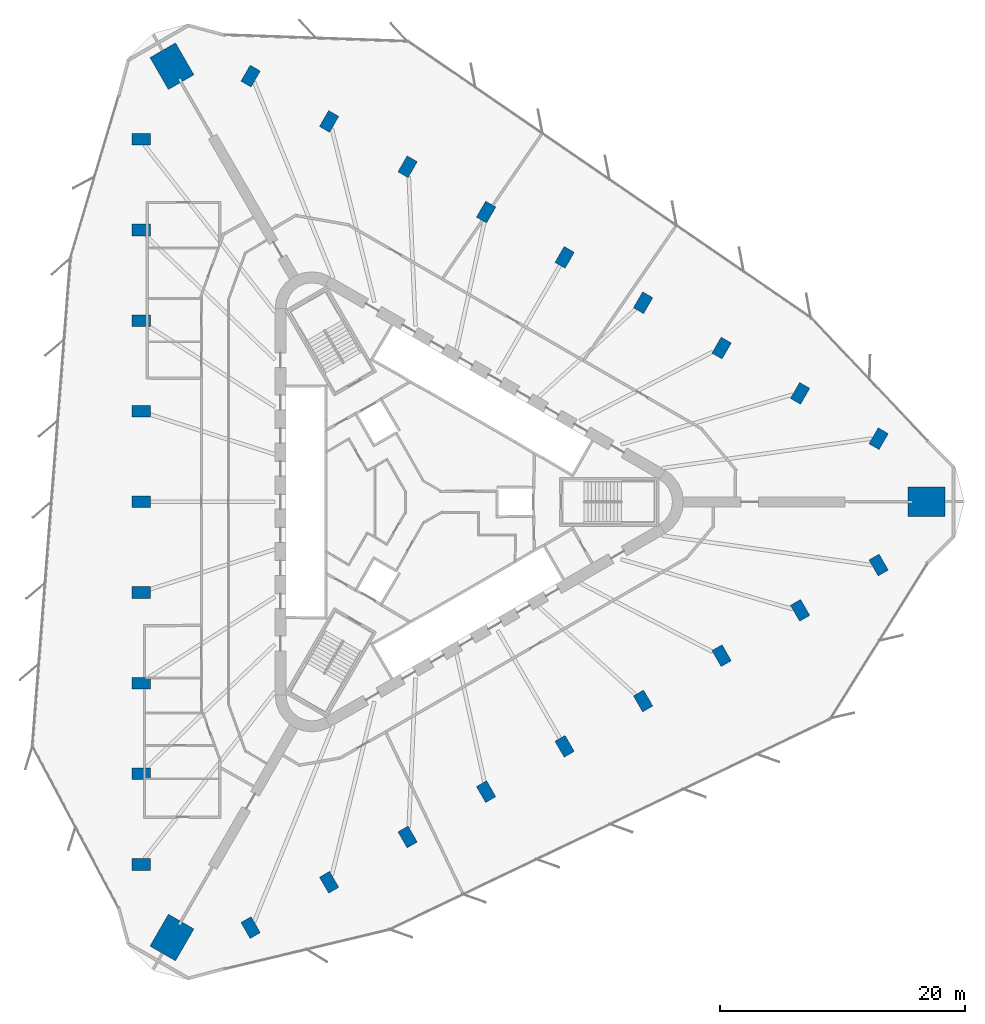
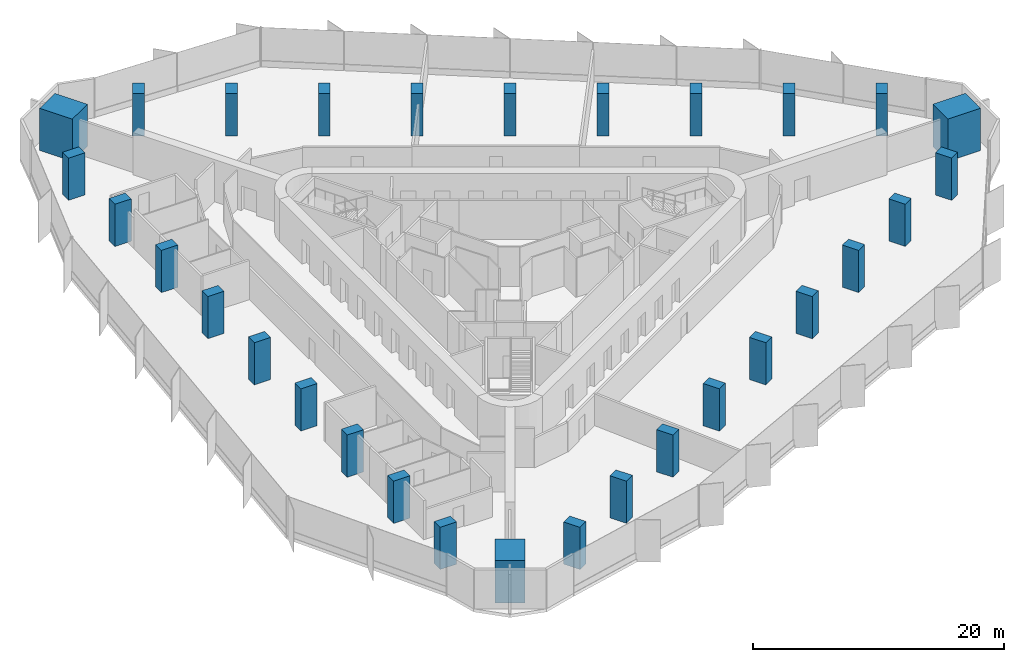
# One storey, part 1 of 15: 30 columns.
"""IFC4 building model written with IfcOpenShell, lengths in metres."""

from ifc_helpers import new_model, si_unit, direction, frame, origin, origin_2d, place, context, subcontext, project, spatial, rectangle, extrude, material, material_profile, profile_set, type_object, element, save


model = new_model("IFC4")

# Units and contexts
model_context = context("Model", 3, precision=1e-05, world=origin(), true_north=direction((0.0, 1.0)))
body_context = subcontext(model_context, "Body", "Model", "MODEL_VIEW")
ifc_project = project(units=[si_unit("LENGTHUNIT", "METRE"), si_unit("AREAUNIT", "SQUARE_METRE"), si_unit("VOLUMEUNIT", "CUBIC_METRE"), si_unit("PLANEANGLEUNIT", "RADIAN"), si_unit("MASSUNIT", "GRAM", prefix="KILO")], contexts=[model_context])

# Site, building, storey
site_placement = place(None, origin())
site = spatial("IfcSite", under=ifc_project, at=site_placement, CompositionType="ELEMENT")
building_placement = place(site_placement, origin())
building = spatial("IfcBuilding", under=site, at=building_placement, Name="Tanit Gate Tower", CompositionType="ELEMENT")
storey_placement = place(building_placement, frame((0.0, 0.0, 94.699951171875)))
storey = spatial("IfcBuildingStorey", under=building, at=storey_placement, Name="L19", CompositionType="ELEMENT", Elevation=94.699951171875)

# Columns
ifc_material_1 = material(Name="Concrete C70/85", Category="concrete")
ifc_material_profile_1 = material_profile(ifc_material_1, rectangle(XDim=3.0, YDim=2.39990234375, at=origin_2d()), Name="RC 3000x2400")
ifc_profile_set_1 = profile_set([ifc_material_profile_1], Name="Concrete C70/85")
column_type_1 = type_object("IfcColumnType", Name="MEGA COLUMN 3000x2400 C70/85", PredefinedType="COLUMN", material=ifc_profile_set_1)
for number, where, z_axis, x_axis, name in (
    (1, (41.020751953125, 0.0, 0.0), (0.0, 0.0, 1.0), (1.0, 0.0, 0.0), "MEGA COLUMN"),
    (2, (-20.510498046875, 35.52490234375, 0.0), (0.0, 0.0, 1.0), (-0.5, 0.866025403784, 0.0), "MEGA COLUMN"),
    (3, (-20.510498046875, -35.52490234375, 0.0), (0.0, 0.0, 1.0), (-0.5, -0.866025403784, 0.0), "MEGA COLUMN"),
):
    element("IfcColumn", number, at=place(storey_placement, frame(where, z_axis=z_axis, x_axis=x_axis)), inside=storey, type_object=column_type_1, Name=name, PredefinedType="COLUMN", context=body_context, shape_type="SweptSolid", body=[
        extrude(rectangle(XDim=3.0, YDim=2.39990234375, at=origin_2d()), origin(), (0.0, 0.0, 1.0), 4.10009765625),
    ])
ifc_material_2 = material(Name="Concrete C60/75", Category="concrete")
ifc_material_profile_2 = material_profile(ifc_material_2, rectangle(XDim=1.5, YDim=0.949951171875, at=origin_2d()), Name="RC 1500x950")
ifc_profile_set_2 = profile_set([ifc_material_profile_2], Name="Concrete C60/75")
column_type_2 = type_object("IfcColumnType", Name="PERIMETER COLUMN 1500x950 C60/75", PredefinedType="COLUMN", material=ifc_profile_set_2)
for number, where, z_axis, x_axis, name in (
    (4, (-23.017822265625, 29.56591796875, 0.0), (0.0, 0.0, 1.0), (-1.0, 0.0, 0.0), "PERIMETER COLUMN"),
    (5, (-23.017822265625, 22.17431640625, 0.0), (0.0, 0.0, 1.0), (-1.0, 0.0, 0.0), "PERIMETER COLUMN"),
    (6, (-23.017822265625, 14.782958984375, 0.0), (0.0, 0.0, 1.0), (-1.0, 0.0, 0.0), "PERIMETER COLUMN"),
    (7, (-23.017822265625, 7.391357421875, 0.0), (0.0, 0.0, 1.0), (-1.0, 0.0, 0.0), "PERIMETER COLUMN"),
    (8, (-23.017822265625, 0.0, 0.0), (0.0, 0.0, 1.0), (-1.0, 0.0, 0.0), "PERIMETER COLUMN"),
    (9, (-23.017822265625, -7.391357421875, 0.0), (0.0, 0.0, 1.0), (-1.0, 0.0, 0.0), "PERIMETER COLUMN"),
    (10, (-23.017822265625, -14.782958984375, 0.0), (0.0, 0.0, 1.0), (-1.0, 0.0, 0.0), "PERIMETER COLUMN"),
    (11, (-23.017822265625, -22.17431640625, 0.0), (0.0, 0.0, 1.0), (-1.0, 0.0, 0.0), "PERIMETER COLUMN"),
    (12, (-23.017822265625, -29.56591796875, 0.0), (0.0, 0.0, 1.0), (-1.0, 0.0, 0.0), "PERIMETER COLUMN"),
    (13, (37.11376953125, 5.151123046875, 0.0), (0.0, 0.0, 1.0), (0.5, 0.866025403784, 0.0), "PERIMETER COLUMN"),
    (14, (30.71240234375, 8.846923828125, 0.0), (0.0, 0.0, 1.0), (0.5, 0.866025403784, 0.0), "PERIMETER COLUMN"),
    (15, (24.311279296875, 12.542724609375, 0.0), (0.0, 0.0, 1.0), (0.5, 0.866025403784, 0.0), "PERIMETER COLUMN"),
    (16, (17.91015625, 16.23828125, 0.0), (0.0, 0.0, 1.0), (0.5, 0.866025403784, 0.0), "PERIMETER COLUMN"),
    (17, (11.509033203125, 19.93408203125, 0.0), (0.0, 0.0, 1.0), (0.5, 0.866025403784, 0.0), "PERIMETER COLUMN"),
    (18, (5.10791015625, 23.6298828125, 0.0), (0.0, 0.0, 1.0), (0.5, 0.866025403784, 0.0), "PERIMETER COLUMN"),
    (19, (-1.29345703125, 27.32568359375, 0.0), (0.0, 0.0, 1.0), (0.5, 0.866025403784, 0.0), "PERIMETER COLUMN"),
    (20, (-7.694580078125, 31.021240234375, 0.0), (0.0, 0.0, 1.0), (0.5, 0.866025403784, 0.0), "PERIMETER COLUMN"),
    (21, (-14.095703125, 34.717041015625, 0.0), (0.0, 0.0, 1.0), (0.5, 0.866025403784, 0.0), "PERIMETER COLUMN"),
    (22, (-14.095703125, -34.717041015625, 0.0), (0.0, 0.0, 1.0), (0.5, -0.866025403784, 0.0), "PERIMETER COLUMN"),
    (23, (-7.694580078125, -31.021240234375, 0.0), (0.0, 0.0, 1.0), (0.5, -0.866025403784, 0.0), "PERIMETER COLUMN"),
    (24, (-1.29345703125, -27.32568359375, 0.0), (0.0, 0.0, 1.0), (0.5, -0.866025403784, 0.0), "PERIMETER COLUMN"),
    (25, (5.10791015625, -23.6298828125, 0.0), (0.0, 0.0, 1.0), (0.5, -0.866025403784, 0.0), "PERIMETER COLUMN"),
    (26, (11.509033203125, -19.93408203125, 0.0), (0.0, 0.0, 1.0), (0.5, -0.866025403784, 0.0), "PERIMETER COLUMN"),
    (27, (17.91015625, -16.23828125, 0.0), (0.0, 0.0, 1.0), (0.5, -0.866025403784, 0.0), "PERIMETER COLUMN"),
    (28, (24.311279296875, -12.542724609375, 0.0), (0.0, 0.0, 1.0), (0.5, -0.866025403784, 0.0), "PERIMETER COLUMN"),
    (29, (30.71240234375, -8.846923828125, 0.0), (0.0, 0.0, 1.0), (0.5, -0.866025403784, 0.0), "PERIMETER COLUMN"),
    (30, (37.11376953125, -5.151123046875, 0.0), (0.0, 0.0, 1.0), (0.5, -0.866025403784, 0.0), "PERIMETER COLUMN"),
):
    element("IfcColumn", number, at=place(storey_placement, frame(where, z_axis=z_axis, x_axis=x_axis)), inside=storey, type_object=column_type_2, Name=name, PredefinedType="COLUMN", context=body_context, shape_type="SweptSolid", body=[
        extrude(rectangle(XDim=1.5, YDim=0.949951171875, at=origin_2d()), origin(), (0.0, 0.0, 1.0), 4.10009765625),
    ])

save(model, "model.ifc")
